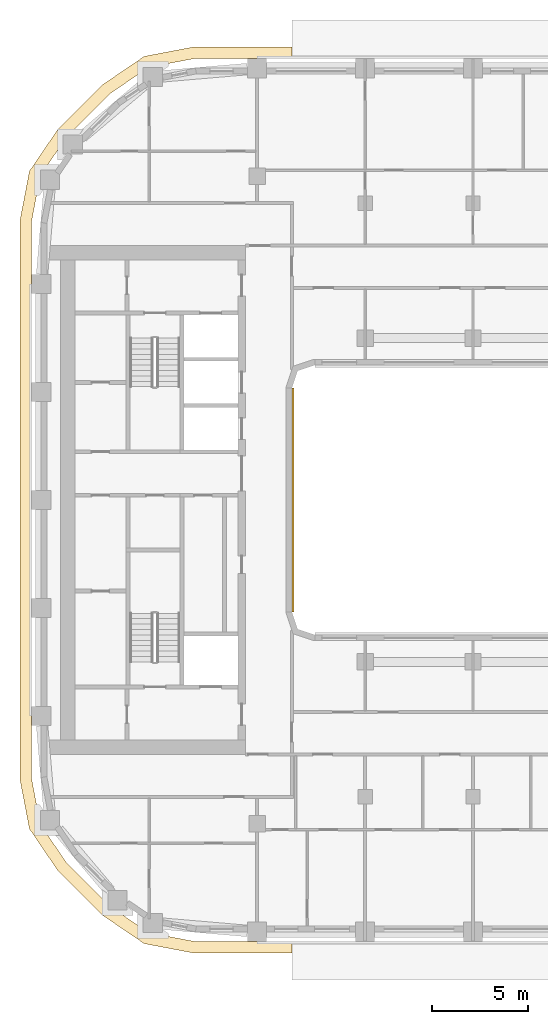
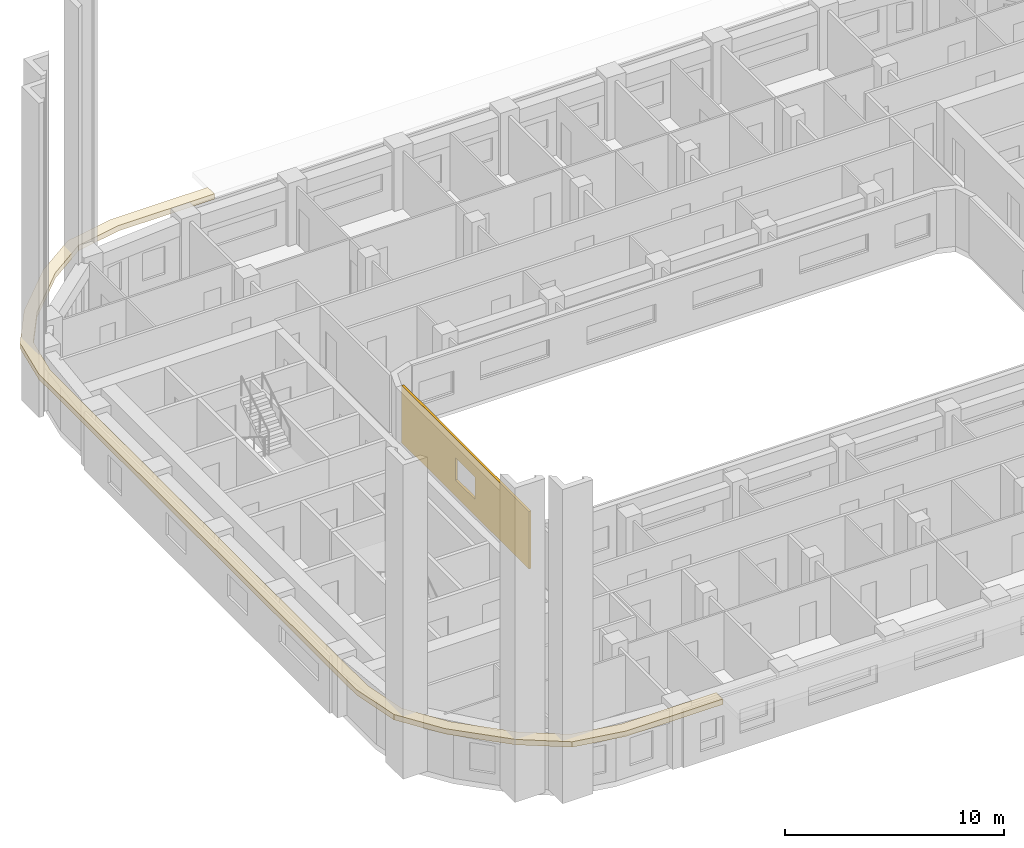
# One storey, part 14 of 22: 2 coverings.
"""IFC4 building model written with IfcOpenShell, lengths in metres."""

from ifc_helpers import new_model, si_unit, direction, frame, origin, place, context, subcontext, project, spatial, polyline, outline, extrude, material, layer, layer_set, type_object, element, save


model = new_model("IFC4")

# Units and contexts
model_context = context("Model", 3, precision=1e-05, world=origin(), true_north=direction((0.0, 1.0)))
body_context = subcontext(model_context, "Body", "Model", "MODEL_VIEW")
ifc_project = project(units=[si_unit("LENGTHUNIT", "METRE"), si_unit("AREAUNIT", "SQUARE_METRE"), si_unit("VOLUMEUNIT", "CUBIC_METRE"), si_unit("PLANEANGLEUNIT", "RADIAN"), si_unit("MASSUNIT", "GRAM", prefix="KILO")], contexts=[model_context])

# Site, building, storey
site_placement = place(None, origin())
site = spatial("IfcSite", under=ifc_project, at=site_placement, CompositionType="ELEMENT")
building_placement = place(site_placement, origin())
building = spatial("IfcBuilding", under=site, at=building_placement, Name="Kiln Ring Residences", CompositionType="ELEMENT")
storey_placement = place(building_placement, frame((0.0, 0.0, 160.60009765625)))
storey = spatial("IfcBuildingStorey", under=building, at=storey_placement, Name="L41", CompositionType="ELEMENT", Elevation=160.60009765625)

# Coverings
ifc_material_1 = material(Name="Brick masonry, dark clay brick", Category="masonry")
ifc_layer_1 = layer(ifc_material_1, 0.1201171875)
ifc_layer_set_1 = layer_set([ifc_layer_1], Name="RAINSCREEN PANEL 120")
covering_type_1 = type_object("IfcCoveringType", Name="RAINSCREEN PANEL 120", PredefinedType="CLADDING", material=ifc_layer_set_1)
covering_1_placement = place(storey_placement, frame((-14.93994140625, -5.800048828125, 0.0), z_axis=(0.0, 0.0, 1.0), x_axis=(0.0, 1.0, 0.0)))
element("IfcCovering", 1, at=covering_1_placement, inside=storey, type_object=covering_type_1, Name="RAINSCREEN L41", PredefinedType="CLADDING", context=body_context, shape_type="SweptSolid", body=[
    extrude(outline(polyline([(0.0, 0.0), (11.60009765625, 0.0), (11.60009765625, 3.199951171875), (0.0, 3.199951171875), (0.0, 0.0)]), holes=[polyline([(4.89990234375, 2.14990234375), (4.89990234375, 0.89990234375), (6.699951171875, 0.89990234375), (6.699951171875, 2.14990234375), (4.89990234375, 2.14990234375)])]), frame((0.0, 0.06005859375, 0.0), z_axis=(0.0, -1.0, 0.0), x_axis=(1.0, 0.0, 0.0)), (0.0, 0.0, 1.0), 0.1201171875),
])
ifc_material_2 = material(Name="Black powder-coated steel", Category="steel")
ifc_layer_2 = layer(ifc_material_2, 0.300048828125)
ifc_layer_set_2 = layer_set([ifc_layer_2], Name="SUNSHADE FIN 600")
covering_type_2 = type_object("IfcCoveringType", Name="SUNSHADE FIN 600", PredefinedType="CLADDING", material=ifc_layer_set_2)
covering_2_placement = place(storey_placement, frame((0.0, 0.0, 3.199951171875)))
element("IfcCovering", 2, at=covering_2_placement, inside=storey, type_object=covering_type_2, Name="SUNSHADE FIN L41", PredefinedType="CLADDING", context=body_context, shape_type="SweptSolid", body=[
    extrude(outline(polyline([(-29.10009765625, -14.50390625), (-28.613525390625, -17.05419921875), (-27.154296875, -19.201416015625), (-24.801513671875, -21.55419921875), (-22.654052734375, -23.013671875), (-20.10400390625, -23.5), (-15.0, -23.5), (-15.0, -22.89990234375), (-20.04736328125, -22.89990234375), (-22.419677734375, -22.447509765625), (-24.417236328125, -21.08984375), (-26.68994140625, -18.817138671875), (-28.047607421875, -16.819580078125), (-28.5, -14.447265625), (-28.5, 14.447265625), (-28.047607421875, 16.819580078125), (-26.68994140625, 18.817138671875), (-24.417236328125, 21.08984375), (-22.419677734375, 22.447509765625), (-20.04736328125, 22.89990234375), (-15.0, 22.89990234375), (-15.0, 23.5), (-20.10400390625, 23.5), (-22.654052734375, 23.013671875), (-24.801513671875, 21.55419921875), (-27.154296875, 19.201416015625), (-28.613525390625, 17.05419921875), (-29.10009765625, 14.50390625), (-29.10009765625, -14.50390625)])), origin(), (0.0, 0.0, 1.0), 0.300048828125),
])

save(model, "model.ifc")
